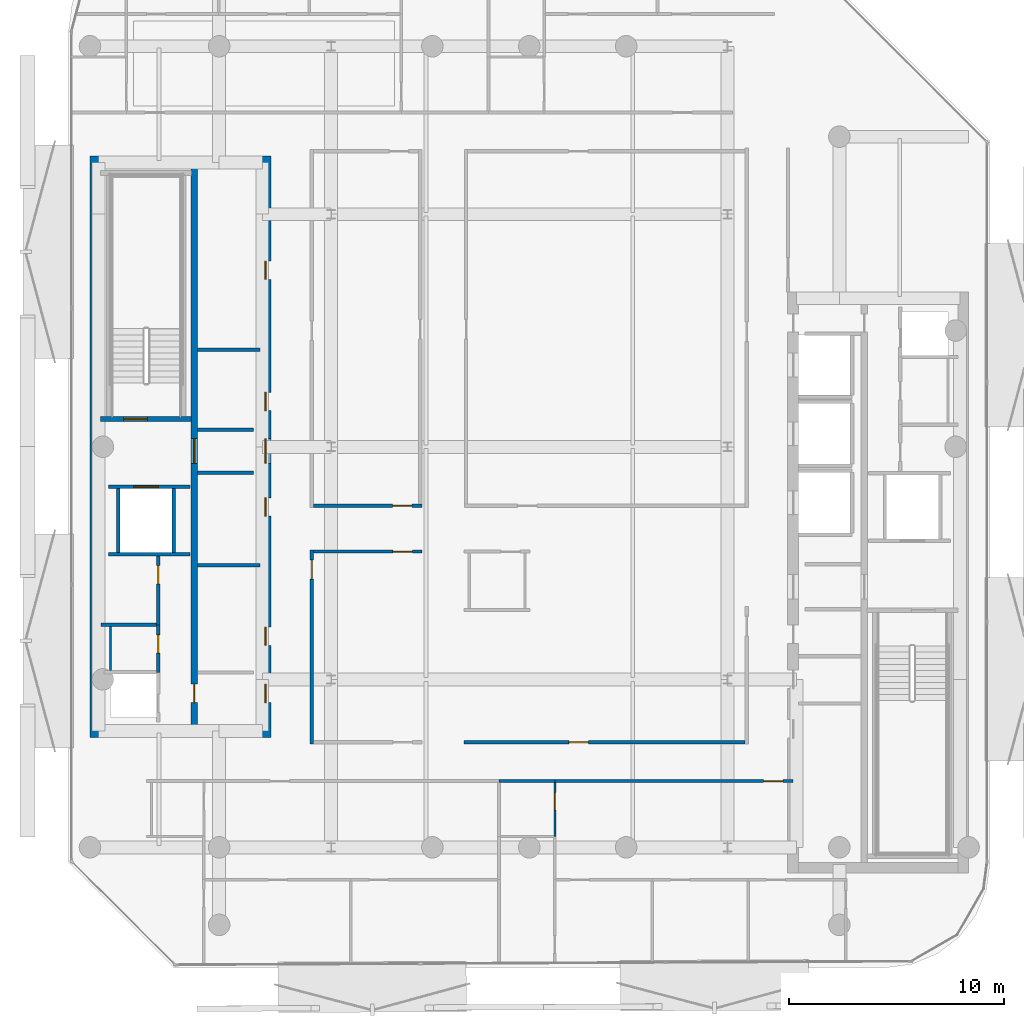
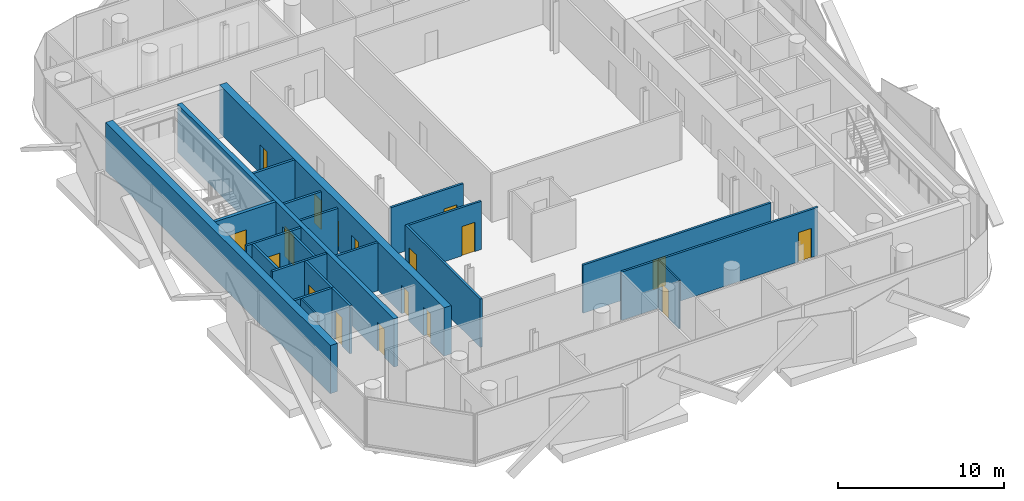
# One storey, part 5 of 16: 23 walls, 18 doors, 18 openings.
"""IFC4 building model written with IfcOpenShell, lengths in metres."""

from ifc_helpers import new_model, si_unit, direction, frame, frame_2d, origin, place, context, subcontext, project, spatial, rectangle, extrude, material, layer, layer_set, type_object, element, fill, save


model = new_model("IFC4")

# Units and contexts
model_context = context("Model", 3, precision=1e-05, world=origin(), true_north=direction((0.0, 1.0)))
body_context = subcontext(model_context, "Body", "Model", "MODEL_VIEW")
ifc_project = project(units=[si_unit("LENGTHUNIT", "METRE"), si_unit("AREAUNIT", "SQUARE_METRE"), si_unit("VOLUMEUNIT", "CUBIC_METRE"), si_unit("PLANEANGLEUNIT", "RADIAN"), si_unit("MASSUNIT", "GRAM", prefix="KILO")], contexts=[model_context])

# Site, building, storey
site_placement = place(None, origin())
site = spatial("IfcSite", under=ifc_project, at=site_placement, CompositionType="ELEMENT")
building_placement = place(site_placement, origin())
building = spatial("IfcBuilding", under=site, at=building_placement, Name="Khairoan Windgate Tower", CompositionType="ELEMENT")
storey_placement = place(building_placement, frame((0.0, 0.0, 277.60009765625)))
storey = spatial("IfcBuildingStorey", under=building, at=storey_placement, Name="L66", CompositionType="ELEMENT", Elevation=277.60009765625)

# Wall, opening, door
ifc_material_1 = material(Name="Moisture-Resistant Gypsum Partition", Category="gypsum")
ifc_layer_1 = layer(ifc_material_1, 0.10009765625, Name="Moisture-Resistant Gypsum Partition")
ifc_layer_set_1 = layer_set([ifc_layer_1], Name="Moisture-Resistant Gypsum Partition")
wall_type_1 = type_object("IfcWallType", Name="Bathroom Wet-Area Partition Wall", PredefinedType="PARTITIONING", material=ifc_layer_set_1)
wall_1_placement = place(storey_placement, frame((1.18994140625, -18.10009765625, 0.0), z_axis=(0.0, 0.0, 1.0), x_axis=(0.0, 1.0, 0.0)))
wall_1 = element("IfcWall", 1, at=wall_1_placement, inside=storey, type_object=wall_type_1, Name="L66 Interior Partition 070", PredefinedType="PARTITIONING", context=body_context, shape_type="SweptSolid", body=[
    extrude(rectangle(XDim=2.5, YDim=0.10009765625, at=frame_2d((1.25, 0.0))), origin(), (0.0, 0.0, 1.0), 3.539794921875),
])
opening_1_placement = place(wall_1_placement, frame((1.239990234375, 0.0, 0.0)))
opening_1 = element("IfcOpeningElement", 2, at=opening_1_placement, cuts=wall_1, Name="Opening ID-BTH", PredefinedType="OPENING", context=body_context, shape_type="SweptSolid", body=[
    extrude(rectangle(XDim=0.800048828125, YDim=2.10009765625, at=frame_2d((0.39990234375, 1.050048828125))), frame((0.0, 0.06005859375, 0.0), z_axis=(0.0, -1.0, 0.0), x_axis=(1.0, 0.0, 0.0)), (0.0, 0.0, 1.0), 0.1201171875),
])
ifc_material_2 = material(Name="Teak Veneer Timber Leaf", Category="wood")
door_type_1 = type_object("IfcDoorType", Name="Internal Bathroom Door ID-BTH 800x2100", OperationType="NOTDEFINED", PredefinedType="DOOR", material=ifc_material_2)
door_1_placement = place(opening_1_placement, origin())
door_1 = element("IfcDoor", 3, at=door_1_placement, inside=storey, type_object=door_type_1, Name="L66 L66-52-L66-54 Door", OperationType="SINGLE_SWING_LEFT", OverallHeight=2.10009765625, OverallWidth=0.800048828125, PredefinedType="DOOR", context=body_context, shape_type="SweptSolid", body=[
    extrude(rectangle(XDim=0.800048828125, YDim=2.10009765625, at=frame_2d((0.39990234375, 1.050048828125))), frame((0.0, 0.02490234375, 0.0), z_axis=(0.0, -1.0, 0.0), x_axis=(1.0, 0.0, 0.0)), (0.0, 0.0, 1.0), 0.050048828125),
])
fill(opening_1, door_1)

# Wall
wall_2_placement = place(storey_placement, frame((-19.449951171875, -10.389892578125, 0.0), z_axis=(0.0, 0.0, 1.0), x_axis=(0.0, 1.0, 0.0)))
element("IfcWall", 4, at=wall_2_placement, inside=storey, type_object=wall_type_1, Name="L66 Wet Room Side Wall 080", PredefinedType="PARTITIONING", context=body_context, shape_type="SweptSolid", body=[
    extrude(rectangle(XDim=2.039794921875, YDim=0.10009765625, at=frame_2d((1.02001953125, 0.0))), origin(), (0.0, 0.0, 1.0), 3.539794921875),
])

# Wall, opening, door
ifc_material_3 = material(Name="Concrete C40/50", Category="concrete")
ifc_layer_2 = layer(ifc_material_3, 0.159912109375, Name="Concrete C40/50")
ifc_layer_set_2 = layer_set([ifc_layer_2], Name="Concrete C40/50")
wall_type_2 = type_object("IfcWallType", Name="Core and Hoistway Enclosure Wall", PredefinedType="STANDARD", material=ifc_layer_set_2)
wall_3_placement = place(storey_placement, frame((-19.550048828125, -1.860107421875, 0.0), z_axis=(0.0, 0.0, 1.0), x_axis=(1.0, 0.0, 0.0)))
wall_3 = element("IfcWall", 5, at=wall_3_placement, inside=storey, type_object=wall_type_2, Name="L66 Core Shaft Wall SW-FL2-L66", PredefinedType="STANDARD", context=body_context, shape_type="SweptSolid", body=[
    extrude(rectangle(XDim=3.800048828125, YDim=0.159912109375, at=frame_2d((1.89990234375, 0.0))), origin(), (0.0, 0.0, 1.0), 3.539794921875),
])
opening_2_placement = place(wall_3_placement, frame((1.179931640625, 0.0, 0.0)))
opening_2 = element("IfcOpeningElement", 6, at=opening_2_placement, cuts=wall_3, Name="Opening LD-FL", PredefinedType="OPENING", context=body_context, shape_type="SweptSolid", body=[
    extrude(rectangle(XDim=1.14990234375, YDim=2.199951171875, at=frame_2d((0.574951171875, 1.10009765625))), frame((0.0, 0.08984375, 0.0), z_axis=(0.0, -1.0, 0.0), x_axis=(1.0, 0.0, 0.0)), (0.0, 0.0, 1.0), 0.179931640625),
])
ifc_material_4 = material(Name="Steel S355", Category="steel")
door_type_2 = type_object("IfcDoorType", Name="Firefighting Lift Sliding Landing Door LD-FL 1150x2200", OperationType="DOUBLE_DOOR_SLIDING", PredefinedType="DOOR", material=ifc_material_4)
door_2_placement = place(opening_2_placement, origin())
door_2 = element("IfcDoor", 7, at=door_2_placement, inside=storey, type_object=door_type_2, Name="L66 Firefighting Lift FL2 Landing Door", OperationType="DOUBLE_DOOR_SLIDING", OverallHeight=2.199951171875, OverallWidth=1.14990234375, PredefinedType="DOOR", context=body_context, shape_type="SweptSolid", body=[
    extrude(rectangle(XDim=1.14990234375, YDim=2.199951171875, at=frame_2d((0.574951171875, 1.10009765625))), frame((0.0, 0.02490234375, 0.0), z_axis=(0.0, -1.0, 0.0), x_axis=(1.0, 0.0, 0.0)), (0.0, 0.0, 1.0), 0.050048828125),
])
fill(opening_2, door_2)

# Walls
wall_4_placement = place(storey_placement, frame((-19.550048828125, -4.97998046875, 0.0), z_axis=(0.0, 0.0, 1.0), x_axis=(1.0, 0.0, 0.0)))
element("IfcWall", 8, at=wall_4_placement, inside=storey, type_object=wall_type_2, Name="L66 Core Shaft Wall SW-FL2B-L66", PredefinedType="STANDARD", context=body_context, shape_type="SweptSolid", body=[
    extrude(rectangle(XDim=3.800048828125, YDim=0.159912109375, at=frame_2d((1.89990234375, 0.0))), origin(), (0.0, 0.0, 1.0), 3.539794921875),
])
for number, where, z_axis, x_axis, name in (
    (9, (-19.080078125, -4.89990234375, 0.0), (0.0, 0.0, 1.0), (0.0, 1.0, 0.0), "L66 Core Shaft Wall SW-FL2W-L66"),
    (10, (-16.52001953125, -4.89990234375, 0.0), (0.0, 0.0, 1.0), (0.0, 1.0, 0.0), "L66 Core Shaft Wall SW-FL2E-L66"),
):
    element("IfcWall", number, at=place(storey_placement, frame(where, z_axis=z_axis, x_axis=x_axis)), inside=storey, type_object=wall_type_2, Name=name, PredefinedType="STANDARD", context=body_context, shape_type="SweptSolid", body=[
        extrude(rectangle(XDim=2.9599609375, YDim=0.159912109375, at=frame_2d((1.47998046875, 0.0))), origin(), (0.0, 0.0, 1.0), 3.539794921875),
    ])
for number, where, z_axis, x_axis, name in (
    (11, (-15.39990234375, 0.800048828125, 0.0), (0.0, 0.0, 1.0), (1.0, 0.0, 0.0), "L66 Core Shaft Wall SW-WV1-L66"),
    (12, (-15.39990234375, -1.199951171875, 0.0), (0.0, 0.0, 1.0), (1.0, 0.0, 0.0), "L66 Core Shaft Wall SW-WV2-L66"),
):
    element("IfcWall", number, at=place(storey_placement, frame(where, z_axis=z_axis, x_axis=x_axis)), inside=storey, type_object=wall_type_2, Name=name, PredefinedType="STANDARD", context=body_context, shape_type="SweptSolid", body=[
        extrude(rectangle(XDim=2.599853515625, YDim=0.159912109375, at=frame_2d((1.2998046875, 0.0))), origin(), (0.0, 0.0, 1.0), 3.539794921875),
    ])

# Wall, opening, door
ifc_material_5 = material(Name="Concrete C40/50", Category="concrete")
ifc_layer_3 = layer(ifc_material_5, 0.159912109375, Name="Concrete C40/50")
ifc_layer_set_3 = layer_set([ifc_layer_3], Name="Concrete C40/50")
wall_type_3 = type_object("IfcWallType", Name="Plant and Refuge Compartment Wall", PredefinedType="PARTITIONING", material=ifc_layer_set_3)
wall_5_placement = place(storey_placement, frame((-17.22998046875, -10.469970703125, 0.0), z_axis=(0.0, 0.0, 1.0), x_axis=(0.0, 1.0, 0.0)))
wall_5 = element("IfcWall", 13, at=wall_5_placement, inside=storey, type_object=wall_type_3, Name="L66 Interior Partition 002", PredefinedType="PARTITIONING", context=body_context, shape_type="SweptSolid", body=[
    extrude(rectangle(XDim=2.199951171875, YDim=0.159912109375, at=frame_2d((1.10009765625, 0.0))), origin(), (0.0, 0.0, 1.0), 3.539794921875),
])
opening_3_placement = place(wall_5_placement, frame((0.889892578125, 0.0, 0.0)))
opening_3 = element("IfcOpeningElement", 14, at=opening_3_placement, cuts=wall_5, Name="Opening FD-SRV", PredefinedType="OPENING", context=body_context, shape_type="SweptSolid", body=[
    extrude(rectangle(XDim=0.85009765625, YDim=2.10009765625, at=frame_2d((0.425048828125, 1.050048828125))), frame((0.0, 0.08984375, 0.0), z_axis=(0.0, -1.0, 0.0), x_axis=(1.0, 0.0, 0.0)), (0.0, 0.0, 1.0), 0.179931640625),
])
ifc_material_6 = material(Name="Steel S355", Category="steel")
door_type_3 = type_object("IfcDoorType", Name="Core Service and Riser Fire Door FD-SRV 850x2100", OperationType="NOTDEFINED", PredefinedType="DOOR", material=ifc_material_6)
door_3_placement = place(opening_3_placement, origin())
door_3 = element("IfcDoor", 15, at=door_3_placement, inside=storey, type_object=door_type_3, Name="L66 L66-04-L66-06 Door", OperationType="SINGLE_SWING_LEFT", OverallHeight=2.10009765625, OverallWidth=0.85009765625, PredefinedType="DOOR", context=body_context, shape_type="SweptSolid", body=[
    extrude(rectangle(XDim=0.85009765625, YDim=2.10009765625, at=frame_2d((0.425048828125, 1.050048828125))), frame((0.0, 0.02490234375, 0.0), z_axis=(0.0, -1.0, 0.0), x_axis=(1.0, 0.0, 0.0)), (0.0, 0.0, 1.0), 0.050048828125),
])
fill(opening_3, door_3)

wall_6_placement = place(storey_placement, frame((-17.22998046875, -8.27001953125, 0.0), z_axis=(0.0, 0.0, 1.0), x_axis=(0.0, 1.0, 0.0)))
wall_6 = element("IfcWall", 16, at=wall_6_placement, inside=storey, type_object=wall_type_3, Name="L66 Interior Partition 003", PredefinedType="PARTITIONING", context=body_context, shape_type="SweptSolid", body=[
    extrude(rectangle(XDim=3.2099609375, YDim=0.159912109375, at=frame_2d((1.60498046875, 0.0))), origin(), (0.0, 0.0, 1.0), 3.539794921875),
])
opening_4_placement = place(wall_6_placement, frame((1.89990234375, 0.0, 0.0)))
opening_4 = element("IfcOpeningElement", 17, at=opening_4_placement, cuts=wall_6, Name="Opening FD-SRV", PredefinedType="OPENING", context=body_context, shape_type="SweptSolid", body=[
    extrude(rectangle(XDim=0.85009765625, YDim=2.10009765625, at=frame_2d((0.425048828125, 1.050048828125))), frame((0.0, 0.08984375, 0.0), z_axis=(0.0, -1.0, 0.0), x_axis=(1.0, 0.0, 0.0)), (0.0, 0.0, 1.0), 0.179931640625),
])
door_4_placement = place(opening_4_placement, origin())
door_4 = element("IfcDoor", 18, at=door_4_placement, inside=storey, type_object=door_type_3, Name="L66 L66-04-L66-07 Door", OperationType="SINGLE_SWING_RIGHT", OverallHeight=2.10009765625, OverallWidth=0.85009765625, PredefinedType="DOOR", context=body_context, shape_type="SweptSolid", body=[
    extrude(rectangle(XDim=0.85009765625, YDim=2.10009765625, at=frame_2d((0.425048828125, 1.050048828125))), frame((0.0, 0.02490234375, 0.0), z_axis=(0.0, -1.0, 0.0), x_axis=(1.0, 0.0, 0.0)), (0.0, 0.0, 1.0), 0.050048828125),
])
fill(opening_4, door_4)

# Walls
wall_7_placement = place(storey_placement, frame((-19.89990234375, -8.27001953125, 0.0), z_axis=(0.0, 0.0, 1.0), x_axis=(1.0, 0.0, 0.0)))
element("IfcWall", 19, at=wall_7_placement, inside=storey, type_object=wall_type_3, Name="L66 Interior Partition 005", PredefinedType="PARTITIONING", context=body_context, shape_type="SweptSolid", body=[
    extrude(rectangle(XDim=2.58984375, YDim=0.159912109375, at=frame_2d((1.294921875, 0.0))), origin(), (0.0, 0.0, 1.0), 3.539794921875),
])
for number, where, z_axis, x_axis, name in (
    (20, (-15.39990234375, 4.5, 0.0), (0.0, 0.0, 1.0), (1.0, 0.0, 0.0), "L66 Interior Partition 006"),
    (21, (-15.39990234375, -5.5, 0.0), (0.0, 0.0, 1.0), (1.0, 0.0, 0.0), "L66 Interior Partition 007"),
):
    element("IfcWall", number, at=place(storey_placement, frame(where, z_axis=z_axis, x_axis=x_axis)), inside=storey, type_object=wall_type_3, Name=name, PredefinedType="PARTITIONING", context=body_context, shape_type="SweptSolid", body=[
        extrude(rectangle(XDim=2.89990234375, YDim=0.159912109375, at=frame_2d((1.449951171875, 0.0))), origin(), (0.0, 0.0, 1.0), 3.539794921875),
    ])

# Wall, opening, door
ifc_material_7 = material(Name="Acoustic Fire-Rated Gypsum Partition", Category="gypsum")
ifc_layer_4 = layer(ifc_material_7, 0.14990234375, Name="Acoustic Fire-Rated Gypsum Partition")
ifc_layer_set_4 = layer_set([ifc_layer_4], Name="Acoustic Fire-Rated Gypsum Partition")
wall_type_4 = type_object("IfcWallType", Name="Rated Corridor Partition Wall", PredefinedType="PARTITIONING", material=ifc_layer_set_4)
wall_8_placement = place(storey_placement, frame((-10.10009765625, -13.794921875, 0.0), z_axis=(0.0, 0.0, 1.0), x_axis=(0.0, 1.0, 0.0)))
wall_8 = element("IfcWall", 22, at=wall_8_placement, inside=storey, type_object=wall_type_4, Name="L66 Interior Partition 016", PredefinedType="PARTITIONING", context=body_context, shape_type="SweptSolid", body=[
    extrude(rectangle(XDim=9.0048828125, YDim=0.14990234375, at=frame_2d((4.50244140625, 0.0))), origin(), (0.0, 0.0, 1.0), 3.539794921875),
])
opening_5_placement = place(wall_8_placement, frame((7.64501953125, 0.0, 0.0)))
opening_5 = element("IfcOpeningElement", 23, at=opening_5_placement, cuts=wall_8, Name="Opening FD-ENT", PredefinedType="OPENING", context=body_context, shape_type="SweptSolid", body=[
    extrude(rectangle(XDim=0.89990234375, YDim=2.14990234375, at=frame_2d((0.449951171875, 1.074951171875))), frame((0.0, 0.0849609375, 0.0), z_axis=(0.0, -1.0, 0.0), x_axis=(1.0, 0.0, 0.0)), (0.0, 0.0, 1.0), 0.169921875),
])
ifc_material_8 = material(Name="Timber Fire-Rated Core", Category="wood")
door_type_4 = type_object("IfcDoorType", Name="Unit and Office Fire Entrance Door FD-ENT 900x2150", OperationType="NOTDEFINED", PredefinedType="DOOR", material=ifc_material_8)
door_5_placement = place(opening_5_placement, origin())
door_5 = element("IfcDoor", 24, at=door_5_placement, inside=storey, type_object=door_type_4, Name="L66 L66-29-L66-61 Door", OperationType="SINGLE_SWING_LEFT", OverallHeight=2.14990234375, OverallWidth=0.89990234375, PredefinedType="DOOR", context=body_context, shape_type="SweptSolid", body=[
    extrude(rectangle(XDim=0.89990234375, YDim=2.14990234375, at=frame_2d((0.449951171875, 1.074951171875))), frame((0.0, 0.02490234375, 0.0), z_axis=(0.0, -1.0, 0.0), x_axis=(1.0, 0.0, 0.0)), (0.0, 0.0, 1.0), 0.050048828125),
])
fill(opening_5, door_5)

wall_9_placement = place(storey_placement, frame((-10.02490234375, -2.735107421875, 0.0), z_axis=(0.0, 0.0, 1.0), x_axis=(1.0, 0.0, 0.0)))
wall_9 = element("IfcWall", 25, at=wall_9_placement, inside=storey, type_object=wall_type_4, Name="L66 Interior Partition 020", PredefinedType="PARTITIONING", context=body_context, shape_type="SweptSolid", body=[
    extrude(rectangle(XDim=5.034912109375, YDim=0.14990234375, at=frame_2d((2.517578125, 0.0))), origin(), (0.0, 0.0, 1.0), 3.539794921875),
])
opening_6_placement = place(wall_9_placement, frame((3.675048828125, 0.0, 0.0)))
opening_6 = element("IfcOpeningElement", 26, at=opening_6_placement, cuts=wall_9, Name="Opening FD-ENT", PredefinedType="OPENING", context=body_context, shape_type="SweptSolid", body=[
    extrude(rectangle(XDim=0.89990234375, YDim=2.14990234375, at=frame_2d((0.449951171875, 1.074951171875))), frame((0.0, 0.0849609375, 0.0), z_axis=(0.0, -1.0, 0.0), x_axis=(1.0, 0.0, 0.0)), (0.0, 0.0, 1.0), 0.169921875),
])
door_6_placement = place(opening_6_placement, origin())
door_6 = element("IfcDoor", 27, at=door_6_placement, inside=storey, type_object=door_type_4, Name="L66 L66-31-L66-60 Door", OperationType="SINGLE_SWING_LEFT", OverallHeight=2.14990234375, OverallWidth=0.89990234375, PredefinedType="DOOR", context=body_context, shape_type="SweptSolid", body=[
    extrude(rectangle(XDim=0.89990234375, YDim=2.14990234375, at=frame_2d((0.449951171875, 1.074951171875))), frame((0.0, 0.02490234375, 0.0), z_axis=(0.0, -1.0, 0.0), x_axis=(1.0, 0.0, 0.0)), (0.0, 0.0, 1.0), 0.050048828125),
])
fill(opening_6, door_6)

wall_10_placement = place(storey_placement, frame((-10.02490234375, -4.864990234375, 0.0), z_axis=(0.0, 0.0, 1.0), x_axis=(1.0, 0.0, 0.0)))
wall_10 = element("IfcWall", 28, at=wall_10_placement, inside=storey, type_object=wall_type_4, Name="L66 Interior Partition 021", PredefinedType="PARTITIONING", context=body_context, shape_type="SweptSolid", body=[
    extrude(rectangle(XDim=5.054931640625, YDim=0.14990234375, at=frame_2d((2.52734375, 0.0))), origin(), (0.0, 0.0, 1.0), 3.539794921875),
])
opening_7_placement = place(wall_10_placement, frame((3.695068359375, 0.0, 0.0)))
opening_7 = element("IfcOpeningElement", 29, at=opening_7_placement, cuts=wall_10, Name="Opening FD-ENT", PredefinedType="OPENING", context=body_context, shape_type="SweptSolid", body=[
    extrude(rectangle(XDim=0.89990234375, YDim=2.14990234375, at=frame_2d((0.449951171875, 1.074951171875))), frame((0.0, 0.0849609375, 0.0), z_axis=(0.0, -1.0, 0.0), x_axis=(1.0, 0.0, 0.0)), (0.0, 0.0, 1.0), 0.169921875),
])
door_7_placement = place(opening_7_placement, origin())
door_7 = element("IfcDoor", 30, at=door_7_placement, inside=storey, type_object=door_type_4, Name="L66 L66-31-L66-61 Door", OperationType="SINGLE_SWING_RIGHT", OverallHeight=2.14990234375, OverallWidth=0.89990234375, PredefinedType="DOOR", context=body_context, shape_type="SweptSolid", body=[
    extrude(rectangle(XDim=0.89990234375, YDim=2.14990234375, at=frame_2d((0.449951171875, 1.074951171875))), frame((0.0, 0.02490234375, 0.0), z_axis=(0.0, -1.0, 0.0), x_axis=(1.0, 0.0, 0.0)), (0.0, 0.0, 1.0), 0.050048828125),
])
fill(opening_7, door_7)

# Wall
wall_11_placement = place(storey_placement, frame((-1.39990234375, -15.52490234375, 0.0), z_axis=(0.0, 0.0, 1.0), x_axis=(1.0, 0.0, 0.0)))
element("IfcWall", 31, at=wall_11_placement, inside=storey, type_object=wall_type_4, Name="L66 Interior Partition 035", PredefinedType="PARTITIONING", context=body_context, shape_type="SweptSolid", body=[
    extrude(rectangle(XDim=2.58984375, YDim=0.14990234375, at=frame_2d((1.294921875, 0.0))), origin(), (0.0, 0.0, 1.0), 3.539794921875),
])

# Wall, opening, door
wall_12_placement = place(storey_placement, frame((1.18994140625, -15.52490234375, 0.0), z_axis=(0.0, 0.0, 1.0), x_axis=(1.0, 0.0, 0.0)))
wall_12 = element("IfcWall", 32, at=wall_12_placement, inside=storey, type_object=wall_type_4, Name="L66 Interior Partition 036", PredefinedType="PARTITIONING", context=body_context, shape_type="SweptSolid", body=[
    extrude(rectangle(XDim=11.050048828125, YDim=0.14990234375, at=frame_2d((5.52490234375, 0.0))), origin(), (0.0, 0.0, 1.0), 3.539794921875),
])
opening_8_placement = place(wall_12_placement, frame((9.68994140625, 0.0, 0.0)))
opening_8 = element("IfcOpeningElement", 33, at=opening_8_placement, cuts=wall_12, Name="Opening FD-ENT", PredefinedType="OPENING", context=body_context, shape_type="SweptSolid", body=[
    extrude(rectangle(XDim=0.89990234375, YDim=2.14990234375, at=frame_2d((0.449951171875, 1.074951171875))), frame((0.0, 0.0849609375, 0.0), z_axis=(0.0, -1.0, 0.0), x_axis=(1.0, 0.0, 0.0)), (0.0, 0.0, 1.0), 0.169921875),
])
door_8_placement = place(opening_8_placement, origin())
door_8 = element("IfcDoor", 34, at=door_8_placement, inside=storey, type_object=door_type_4, Name="L66 L66-34-L66-54 Door", OperationType="SINGLE_SWING_RIGHT", OverallHeight=2.14990234375, OverallWidth=0.89990234375, PredefinedType="DOOR", context=body_context, shape_type="SweptSolid", body=[
    extrude(rectangle(XDim=0.89990234375, YDim=2.14990234375, at=frame_2d((0.449951171875, 1.074951171875))), frame((0.0, 0.02490234375, 0.0), z_axis=(0.0, -1.0, 0.0), x_axis=(1.0, 0.0, 0.0)), (0.0, 0.0, 1.0), 0.050048828125),
])
fill(opening_8, door_8)

wall_13_placement = place(storey_placement, frame((-3.030029296875, -13.719970703125, 0.0), z_axis=(0.0, 0.0, 1.0), x_axis=(1.0, 0.0, 0.0)))
wall_13 = element("IfcWall", 35, at=wall_13_placement, inside=storey, type_object=wall_type_4, Name="L66 Interior Partition 038", PredefinedType="PARTITIONING", context=body_context, shape_type="SweptSolid", body=[
    extrude(rectangle(XDim=13.054931640625, YDim=0.14990234375, at=frame_2d((6.52734375, 0.0))), origin(), (0.0, 0.0, 1.0), 3.539794921875),
])
opening_9_placement = place(wall_13_placement, frame((4.873779296875, 0.0, 0.0)))
opening_9 = element("IfcOpeningElement", 36, at=opening_9_placement, cuts=wall_13, Name="Opening FD-ENT", PredefinedType="OPENING", context=body_context, shape_type="SweptSolid", body=[
    extrude(rectangle(XDim=0.89990234375, YDim=2.14990234375, at=frame_2d((0.449951171875, 1.074951171875))), frame((0.0, 0.0849609375, 0.0), z_axis=(0.0, -1.0, 0.0), x_axis=(1.0, 0.0, 0.0)), (0.0, 0.0, 1.0), 0.169921875),
])
door_9_placement = place(opening_9_placement, origin())
door_9 = element("IfcDoor", 37, at=door_9_placement, inside=storey, type_object=door_type_4, Name="L66 L66-34-L66-64 Door", OperationType="SINGLE_SWING_RIGHT", OverallHeight=2.14990234375, OverallWidth=0.89990234375, PredefinedType="DOOR", context=body_context, shape_type="SweptSolid", body=[
    extrude(rectangle(XDim=0.89990234375, YDim=2.14990234375, at=frame_2d((0.449951171875, 1.074951171875))), frame((0.0, 0.02490234375, 0.0), z_axis=(0.0, -1.0, 0.0), x_axis=(1.0, 0.0, 0.0)), (0.0, 0.0, 1.0), 0.050048828125),
])
fill(opening_9, door_9)

# Wall
ifc_material_9 = material(Name="Concrete C50/60", Category="concrete")
ifc_layer_5 = layer(ifc_material_9, 0.5, Name="Concrete C50/60")
ifc_layer_set_5 = layer_set([ifc_layer_5], Name="Concrete C50/60")
wall_type_5 = type_object("IfcWallType", Name="Shear Wall CW-W3 500mm", PredefinedType="SHEAR", material=ifc_layer_set_5)
wall_14_placement = place(storey_placement, frame((-20.14990234375, -13.5, 0.0), z_axis=(0.0, 0.0, 1.0), x_axis=(0.0, 1.0, 0.0)))
element("IfcWall", 38, at=wall_14_placement, inside=storey, type_object=wall_type_5, Name="W Core West Shear Wall L66", PredefinedType="SHEAR", context=body_context, shape_type="SweptSolid", body=[
    extrude(rectangle(XDim=27.0, YDim=0.5, at=frame_2d((13.5, 0.0))), origin(), (0.0, 0.0, 1.0), 3.539794921875),
])

# Wall, openings, doors
wall_15_placement = place(storey_placement, frame((-12.25, -13.5, 0.0), z_axis=(0.0, 0.0, 1.0), x_axis=(0.0, 1.0, 0.0)))
wall_15 = element("IfcWall", 39, at=wall_15_placement, inside=storey, type_object=wall_type_5, Name="W Core East Shear Wall L66", PredefinedType="SHEAR", context=body_context, shape_type="SweptSolid", body=[
    extrude(rectangle(XDim=27.0, YDim=0.5, at=frame_2d((13.5, 0.0))), origin(), (0.0, 0.0, 1.0), 3.539794921875),
])
opening_10_placement = place(wall_15_placement, frame((15.175048828125, 0.0, 0.0)))
opening_10 = element("IfcOpeningElement", 40, at=opening_10_placement, cuts=wall_15, Name="Opening FD-SRV", PredefinedType="OPENING", context=body_context, shape_type="SweptSolid", body=[
    extrude(rectangle(XDim=0.85009765625, YDim=2.10009765625, at=frame_2d((0.425048828125, 1.050048828125))), frame((0.0, 0.260009765625, 0.0), z_axis=(0.0, -1.0, 0.0), x_axis=(1.0, 0.0, 0.0)), (0.0, 0.0, 1.0), 0.52001953125),
])
opening_11_placement = place(wall_15_placement, frame((21.27490234375, 0.0, 0.0)))
opening_11 = element("IfcOpeningElement", 41, at=opening_11_placement, cuts=wall_15, Name="Opening FD-SRV", PredefinedType="OPENING", context=body_context, shape_type="SweptSolid", body=[
    extrude(rectangle(XDim=0.85009765625, YDim=2.10009765625, at=frame_2d((0.425048828125, 1.050048828125))), frame((0.0, 0.260009765625, 0.0), z_axis=(0.0, -1.0, 0.0), x_axis=(1.0, 0.0, 0.0)), (0.0, 0.0, 1.0), 0.52001953125),
])
opening_12_placement = place(wall_15_placement, frame((4.27490234375, 0.0, 0.0)))
opening_12 = element("IfcOpeningElement", 42, at=opening_12_placement, cuts=wall_15, Name="Opening FD-SRV", PredefinedType="OPENING", context=body_context, shape_type="SweptSolid", body=[
    extrude(rectangle(XDim=0.85009765625, YDim=2.10009765625, at=frame_2d((0.425048828125, 1.050048828125))), frame((0.0, 0.260009765625, 0.0), z_axis=(0.0, -1.0, 0.0), x_axis=(1.0, 0.0, 0.0)), (0.0, 0.0, 1.0), 0.52001953125),
])
opening_13_placement = place(wall_15_placement, frame((10.27490234375, 0.0, 0.0)))
opening_13 = element("IfcOpeningElement", 43, at=opening_13_placement, cuts=wall_15, Name="Opening FD-SRV", PredefinedType="OPENING", context=body_context, shape_type="SweptSolid", body=[
    extrude(rectangle(XDim=0.85009765625, YDim=2.10009765625, at=frame_2d((0.425048828125, 1.050048828125))), frame((0.0, 0.260009765625, 0.0), z_axis=(0.0, -1.0, 0.0), x_axis=(1.0, 0.0, 0.0)), (0.0, 0.0, 1.0), 0.52001953125),
])
opening_14_placement = place(wall_15_placement, frame((12.72509765625, 0.0, 0.0)))
opening_14 = element("IfcOpeningElement", 44, at=opening_14_placement, cuts=wall_15, Name="Opening FD-FFL", PredefinedType="OPENING", context=body_context, shape_type="SweptSolid", body=[
    extrude(rectangle(XDim=1.14990234375, YDim=2.199951171875, at=frame_2d((0.574951171875, 1.10009765625))), frame((0.0, 0.260009765625, 0.0), z_axis=(0.0, -1.0, 0.0), x_axis=(1.0, 0.0, 0.0)), (0.0, 0.0, 1.0), 0.52001953125),
])
opening_15_placement = place(wall_15_placement, frame((1.625, 0.0, 0.0)))
opening_15 = element("IfcOpeningElement", 45, at=opening_15_placement, cuts=wall_15, Name="Opening FD-SRV", PredefinedType="OPENING", context=body_context, shape_type="SweptSolid", body=[
    extrude(rectangle(XDim=0.85009765625, YDim=2.10009765625, at=frame_2d((0.425048828125, 1.050048828125))), frame((0.0, 0.260009765625, 0.0), z_axis=(0.0, -1.0, 0.0), x_axis=(1.0, 0.0, 0.0)), (0.0, 0.0, 1.0), 0.52001953125),
])
door_10_placement = place(opening_10_placement, origin())
door_10 = element("IfcDoor", 46, at=door_10_placement, inside=storey, type_object=door_type_3, Name="L66 Upper Core Room Door B1-1", OperationType="SINGLE_SWING_LEFT", OverallHeight=2.10009765625, OverallWidth=0.85009765625, PredefinedType="DOOR", context=body_context, shape_type="SweptSolid", body=[
    extrude(rectangle(XDim=0.85009765625, YDim=2.10009765625, at=frame_2d((0.425048828125, 1.050048828125))), frame((0.0, 0.02490234375, 0.0), z_axis=(0.0, -1.0, 0.0), x_axis=(1.0, 0.0, 0.0)), (0.0, 0.0, 1.0), 0.050048828125),
])
fill(opening_10, door_10)
door_11_placement = place(opening_11_placement, origin())
door_11 = element("IfcDoor", 47, at=door_11_placement, inside=storey, type_object=door_type_3, Name="L66 Upper Core Room Door B1-2", OperationType="SINGLE_SWING_RIGHT", OverallHeight=2.10009765625, OverallWidth=0.85009765625, PredefinedType="DOOR", context=body_context, shape_type="SweptSolid", body=[
    extrude(rectangle(XDim=0.85009765625, YDim=2.10009765625, at=frame_2d((0.425048828125, 1.050048828125))), frame((0.0, 0.02490234375, 0.0), z_axis=(0.0, -1.0, 0.0), x_axis=(1.0, 0.0, 0.0)), (0.0, 0.0, 1.0), 0.050048828125),
])
fill(opening_11, door_11)
door_12_placement = place(opening_12_placement, origin())
door_12 = element("IfcDoor", 48, at=door_12_placement, inside=storey, type_object=door_type_3, Name="L66 Upper Core Room Door B2-1", OperationType="SINGLE_SWING_LEFT", OverallHeight=2.10009765625, OverallWidth=0.85009765625, PredefinedType="DOOR", context=body_context, shape_type="SweptSolid", body=[
    extrude(rectangle(XDim=0.85009765625, YDim=2.10009765625, at=frame_2d((0.425048828125, 1.050048828125))), frame((0.0, 0.02490234375, 0.0), z_axis=(0.0, -1.0, 0.0), x_axis=(1.0, 0.0, 0.0)), (0.0, 0.0, 1.0), 0.050048828125),
])
fill(opening_12, door_12)
door_13_placement = place(opening_13_placement, origin())
door_13 = element("IfcDoor", 49, at=door_13_placement, inside=storey, type_object=door_type_3, Name="L66 Upper Core Room Door B2-2", OperationType="SINGLE_SWING_RIGHT", OverallHeight=2.10009765625, OverallWidth=0.85009765625, PredefinedType="DOOR", context=body_context, shape_type="SweptSolid", body=[
    extrude(rectangle(XDim=0.85009765625, YDim=2.10009765625, at=frame_2d((0.425048828125, 1.050048828125))), frame((0.0, 0.02490234375, 0.0), z_axis=(0.0, -1.0, 0.0), x_axis=(1.0, 0.0, 0.0)), (0.0, 0.0, 1.0), 0.050048828125),
])
fill(opening_13, door_13)
door_14_placement = place(opening_15_placement, origin())
door_14 = element("IfcDoor", 50, at=door_14_placement, inside=storey, type_object=door_type_3, Name="L66 West Core Service Vestibule Outer Door", OperationType="SINGLE_SWING_RIGHT", OverallHeight=2.10009765625, OverallWidth=0.85009765625, PredefinedType="DOOR", context=body_context, shape_type="SweptSolid", body=[
    extrude(rectangle(XDim=0.85009765625, YDim=2.10009765625, at=frame_2d((0.425048828125, 1.050048828125))), frame((0.0, 0.02490234375, 0.0), z_axis=(0.0, -1.0, 0.0), x_axis=(1.0, 0.0, 0.0)), (0.0, 0.0, 1.0), 0.050048828125),
])
fill(opening_15, door_14)
ifc_material_10 = material(Name="Steel S355", Category="steel")
door_type_5 = type_object("IfcDoorType", Name="Firefighting Lobby Fire Door FD-FFL 1150x2200", OperationType="NOTDEFINED", PredefinedType="DOOR", material=ifc_material_10)
door_15_placement = place(opening_14_placement, origin())
door_15 = element("IfcDoor", 51, at=door_15_placement, inside=storey, type_object=door_type_5, Name="L66 West Core Vestibule Entry Door", OperationType="SINGLE_SWING_RIGHT", OverallHeight=2.199951171875, OverallWidth=1.14990234375, PredefinedType="DOOR", context=body_context, shape_type="SweptSolid", body=[
    extrude(rectangle(XDim=1.14990234375, YDim=2.199951171875, at=frame_2d((0.574951171875, 1.10009765625))), frame((0.0, 0.02490234375, 0.0), z_axis=(0.0, -1.0, 0.0), x_axis=(1.0, 0.0, 0.0)), (0.0, 0.0, 1.0), 0.050048828125),
])
fill(opening_14, door_15)

ifc_material_11 = material(Name="Concrete C50/60", Category="concrete")
ifc_layer_6 = layer(ifc_material_11, 0.300048828125, Name="Concrete C50/60")
ifc_layer_set_6 = layer_set([ifc_layer_6], Name="Concrete C50/60")
wall_type_6 = type_object("IfcWallType", Name="Shear Wall SW-2 300mm", PredefinedType="SHEAR", material=ifc_layer_set_6)
wall_16_placement = place(storey_placement, frame((-15.550048828125, -13.0, 0.0), z_axis=(0.0, 0.0, 1.0), x_axis=(0.0, 1.0, 0.0)))
wall_16 = element("IfcWall", 52, at=wall_16_placement, inside=storey, type_object=wall_type_6, Name="W Core Spine Shear Wall L66", PredefinedType="SHEAR", context=body_context, shape_type="SweptSolid", body=[
    extrude(rectangle(XDim=26.0, YDim=0.300048828125, at=frame_2d((13.0, 0.0))), origin(), (0.0, 0.0, 1.0), 3.539794921875),
])
opening_16_placement = place(wall_16_placement, frame((12.22509765625, 0.0, 0.0)))
opening_16 = element("IfcOpeningElement", 53, at=opening_16_placement, cuts=wall_16, Name="Opening FD-FFL", PredefinedType="OPENING", context=body_context, shape_type="SweptSolid", body=[
    extrude(rectangle(XDim=1.14990234375, YDim=2.199951171875, at=frame_2d((0.574951171875, 1.10009765625))), frame((0.0, 0.159912109375, 0.0), z_axis=(0.0, -1.0, 0.0), x_axis=(1.0, 0.0, 0.0)), (0.0, 0.0, 1.0), 0.320068359375),
])
opening_17_placement = place(wall_16_placement, frame((1.125, 0.0, 0.0)))
opening_17 = element("IfcOpeningElement", 54, at=opening_17_placement, cuts=wall_16, Name="Opening FD-SRV", PredefinedType="OPENING", context=body_context, shape_type="SweptSolid", body=[
    extrude(rectangle(XDim=0.85009765625, YDim=2.10009765625, at=frame_2d((0.425048828125, 1.050048828125))), frame((0.0, 0.159912109375, 0.0), z_axis=(0.0, -1.0, 0.0), x_axis=(1.0, 0.0, 0.0)), (0.0, 0.0, 1.0), 0.320068359375),
])
door_16_placement = place(opening_17_placement, origin())
door_16 = element("IfcDoor", 55, at=door_16_placement, inside=storey, type_object=door_type_3, Name="L66 West Core Service Passage Inner Door", OperationType="SINGLE_SWING_LEFT", OverallHeight=2.10009765625, OverallWidth=0.85009765625, PredefinedType="DOOR", context=body_context, shape_type="SweptSolid", body=[
    extrude(rectangle(XDim=0.85009765625, YDim=2.10009765625, at=frame_2d((0.425048828125, 1.050048828125))), frame((0.0, 0.02490234375, 0.0), z_axis=(0.0, -1.0, 0.0), x_axis=(1.0, 0.0, 0.0)), (0.0, 0.0, 1.0), 0.050048828125),
])
fill(opening_17, door_16)
door_17_placement = place(opening_16_placement, origin())
door_17 = element("IfcDoor", 56, at=door_17_placement, inside=storey, type_object=door_type_5, Name="L66 West Firefighting Lobby Fire Door", OperationType="SINGLE_SWING_LEFT", OverallHeight=2.199951171875, OverallWidth=1.14990234375, PredefinedType="DOOR", context=body_context, shape_type="SweptSolid", body=[
    extrude(rectangle(XDim=1.14990234375, YDim=2.199951171875, at=frame_2d((0.574951171875, 1.10009765625))), frame((0.0, 0.02490234375, 0.0), z_axis=(0.0, -1.0, 0.0), x_axis=(1.0, 0.0, 0.0)), (0.0, 0.0, 1.0), 0.050048828125),
])
fill(opening_16, door_17)

# Wall, opening, door
ifc_material_12 = material(Name="Concrete C50/60", Category="concrete")
ifc_layer_7 = layer(ifc_material_12, 0.219970703125, Name="Concrete C50/60")
ifc_layer_set_7 = layer_set([ifc_layer_7], Name="Concrete C50/60")
wall_type_7 = type_object("IfcWallType", Name="Shear Wall SW-ST 220mm", PredefinedType="SHEAR", material=ifc_layer_set_7)
wall_17_placement = place(storey_placement, frame((-19.919921875, 1.2900390625, 0.0), z_axis=(0.0, 0.0, 1.0), x_axis=(1.0, 0.0, 0.0)))
wall_17 = element("IfcWall", 57, at=wall_17_placement, inside=storey, type_object=wall_type_7, Name="L66 Stair ST2 South Bearing Wall", PredefinedType="SHEAR", context=body_context, shape_type="SweptSolid", body=[
    extrude(rectangle(XDim=4.239990234375, YDim=0.219970703125, at=frame_2d((2.1201171875, 0.0))), origin(), (0.0, 0.0, 1.0), 3.539794921875),
])
opening_18_placement = place(wall_17_placement, frame((1.080078125, 0.0, 0.0)))
opening_18 = element("IfcOpeningElement", 58, at=opening_18_placement, cuts=wall_17, Name="Opening FD-ST", PredefinedType="OPENING", context=body_context, shape_type="SweptSolid", body=[
    extrude(rectangle(XDim=1.10009765625, YDim=2.199951171875, at=frame_2d((0.550048828125, 1.10009765625))), frame((0.0, 0.119873046875, 0.0), z_axis=(0.0, -1.0, 0.0), x_axis=(1.0, 0.0, 0.0)), (0.0, 0.0, 1.0), 0.239990234375),
])
ifc_material_13 = material(Name="Steel S355", Category="steel")
door_type_6 = type_object("IfcDoorType", Name="Smokeproof Stair Fire Door FD-ST 1100x2200", OperationType="NOTDEFINED", PredefinedType="DOOR", material=ifc_material_13)
door_18_placement = place(opening_18_placement, origin())
door_18 = element("IfcDoor", 59, at=door_18_placement, inside=storey, type_object=door_type_6, Name="L66 Stair ST2 Fire Door", OperationType="SINGLE_SWING_RIGHT", OverallHeight=2.199951171875, OverallWidth=1.10009765625, PredefinedType="DOOR", context=body_context, shape_type="SweptSolid", body=[
    extrude(rectangle(XDim=1.10009765625, YDim=2.199951171875, at=frame_2d((0.550048828125, 1.10009765625))), frame((0.0, 0.02490234375, 0.0), z_axis=(0.0, -1.0, 0.0), x_axis=(1.0, 0.0, 0.0)), (0.0, 0.0, 1.0), 0.050048828125),
])
fill(opening_18, door_18)

save(model, "model.ifc")
